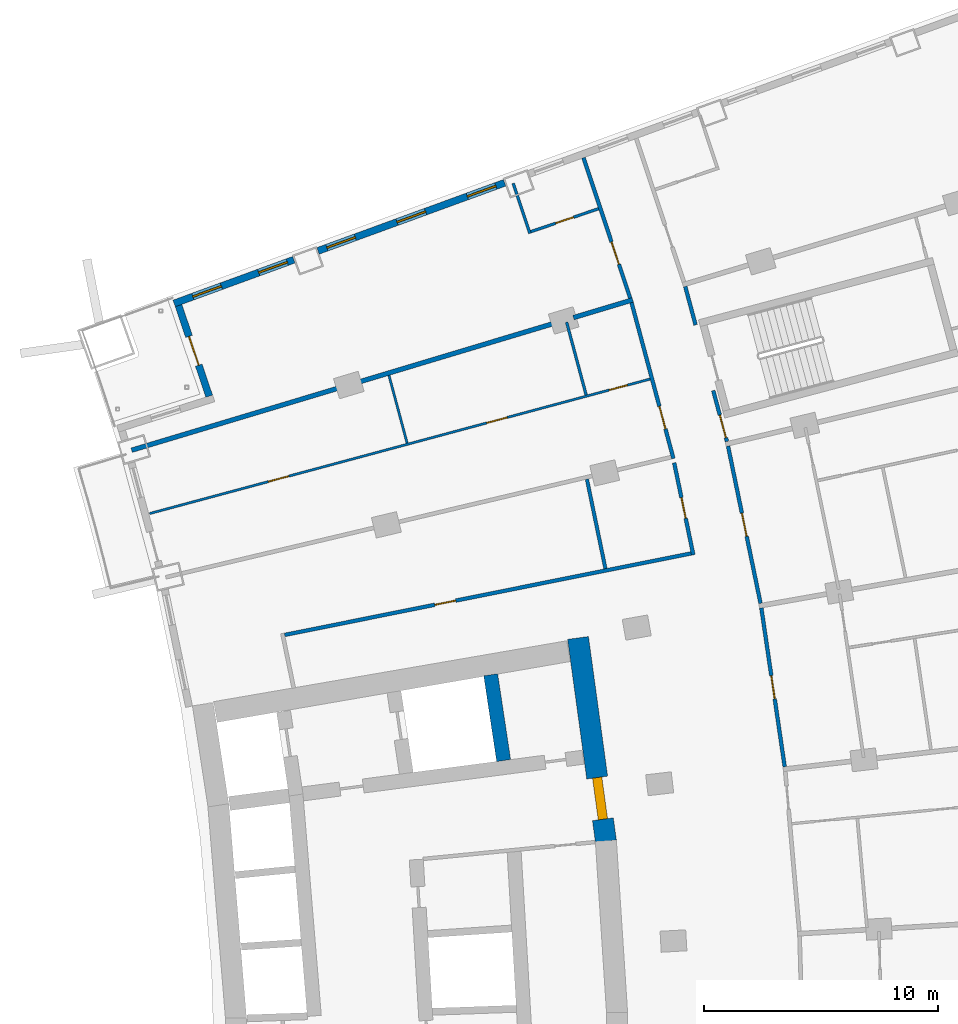
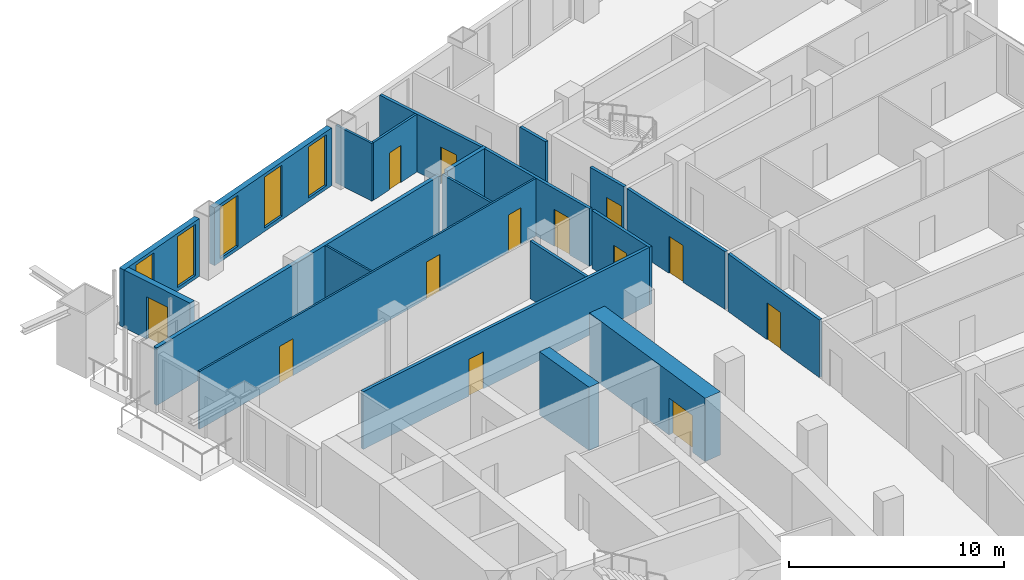
# One storey, part 17 of 23: 21 walls, 13 doors, 5 windows, 18 openings.
"""IFC4 building model written with IfcOpenShell, lengths in metres."""

from ifc_helpers import new_model, si_unit, direction, frame, frame_2d, origin, place, context, subcontext, project, spatial, rectangle, extrude, material, layer, layer_set, type_object, element, fill, save


model = new_model("IFC4")

# Units and contexts
model_context = context("Model", 3, precision=1e-05, world=origin(), true_north=direction((0.0, 1.0)))
body_context = subcontext(model_context, "Body", "Model", "MODEL_VIEW")
ifc_project = project(units=[si_unit("LENGTHUNIT", "METRE"), si_unit("AREAUNIT", "SQUARE_METRE"), si_unit("VOLUMEUNIT", "CUBIC_METRE"), si_unit("PLANEANGLEUNIT", "RADIAN"), si_unit("MASSUNIT", "GRAM", prefix="KILO")], contexts=[model_context])

# Site, building, storey
site_placement = place(None, origin())
site = spatial("IfcSite", under=ifc_project, at=site_placement, CompositionType="ELEMENT")
building_placement = place(site_placement, origin())
building = spatial("IfcBuilding", under=site, at=building_placement, Name="Alderwake Tower", CompositionType="ELEMENT")
storey_placement = place(building_placement, frame((0.0, 0.0, 71.60009765625)))
storey = spatial("IfcBuildingStorey", under=building, at=storey_placement, Name="L17", CompositionType="ELEMENT", Elevation=71.60009765625)

# Wall, opening, door
ifc_material_1 = material(Name="Concrete C70/85", Category="concrete")
ifc_layer_1 = layer(ifc_material_1, 0.89990234375)
ifc_layer_set_1 = layer_set([ifc_layer_1], Name="Core wall outer 900 C70-85")
wall_type_1 = type_object("IfcWallType", Name="Core wall outer 900 C70-85", PredefinedType="SHEAR", material=ifc_layer_set_1)
wall_1_placement = place(storey_placement, frame((31.520263671875, 80.7177734375, 0.0), z_axis=(0.0, 0.0, 1.0), x_axis=(0.135844728876, -0.990730139663, 0.0)))
wall_1 = element("IfcWall", 1, at=wall_1_placement, inside=storey, type_object=wall_type_1, Name="Core wall CW.009", PredefinedType="SHEAR", context=body_context, shape_type="SweptSolid", body=[
    extrude(rectangle(XDim=8.78662109375, YDim=0.89990234375, at=frame_2d((4.393310546875, 0.0))), origin(), (0.0, 0.0, 1.0), 3.599853515625),
])
opening_1_placement = place(wall_1_placement, frame((6.02978515625, 0.0, 0.0)))
opening_1 = element("IfcOpeningElement", 2, at=opening_1_placement, cuts=wall_1, Name="Opening C001", PredefinedType="OPENING", context=body_context, shape_type="SweptSolid", body=[
    extrude(rectangle(XDim=1.800048828125, YDim=2.10009765625, at=frame_2d((0.89990234375, 1.050048828125))), frame((0.0, 0.4599609375, 0.0), z_axis=(0.0, -1.0, 0.0), x_axis=(1.0, 0.0, 0.0)), (0.0, 0.0, 1.0), 0.919921875),
])
ifc_material_2 = material(Name="Steel-framed fire door leaves", Category="steel")
door_type_1 = type_object("IfcDoorType", Name="Core double door 1800 fire-rated", OperationType="DOUBLE_DOOR_SINGLE_SWING", PredefinedType="DOOR", material=ifc_material_2)
door_1_placement = place(opening_1_placement, origin())
door_1 = element("IfcDoor", 3, at=door_1_placement, inside=storey, type_object=door_type_1, Name="Lobby double door", OperationType="DOUBLE_DOOR_SINGLE_SWING", OverallHeight=2.10009765625, OverallWidth=1.800048828125, PredefinedType="DOOR", context=body_context, shape_type="SweptSolid", body=[
    extrude(rectangle(XDim=1.800048828125, YDim=2.10009765625, at=frame_2d((0.89990234375, 1.050048828125))), frame((0.0, 0.199951171875, 0.0), z_axis=(0.0, -1.0, 0.0), x_axis=(1.0, 0.0, 0.0)), (0.0, 0.0, 1.0), 0.39990234375),
])
fill(opening_1, door_1)

# Wall
ifc_material_3 = material(Name="Concrete C70/85", Category="concrete")
ifc_layer_2 = layer(ifc_material_3, 0.60009765625)
ifc_layer_set_2 = layer_set([ifc_layer_2], Name="Core wall spine 600 C70-85")
wall_type_2 = type_object("IfcWallType", Name="Core wall spine 600 C70-85", PredefinedType="SHEAR", material=ifc_layer_set_2)
wall_2_placement = place(storey_placement, frame((28.337646484375, 75.472412109375, 0.0), z_axis=(0.0, 0.0, 1.0), x_axis=(-0.149224787751, 0.988803298296, 0.0)))
element("IfcWall", 4, at=wall_2_placement, inside=storey, type_object=wall_type_2, Name="Core wall CW.001", PredefinedType="SHEAR", context=body_context, shape_type="SweptSolid", body=[
    extrude(rectangle(XDim=3.712158203125, YDim=0.60009765625, at=frame_2d((1.85595703125, 0.0))), origin(), (0.0, 0.0, 1.0), 3.599853515625),
])

# Wall, opening, door
ifc_material_4 = material(Name="Gypsum board on metal studs, rated")
ifc_layer_3 = layer(ifc_material_4, 0.159912109375)
ifc_layer_set_3 = layer_set([ifc_layer_3], Name="Corridor wall 160")
wall_type_3 = type_object("IfcWallType", Name="Corridor wall 160", PredefinedType="PARTITIONING", material=ifc_layer_set_3)
wall_3_placement = place(storey_placement, frame((33.75146484375, 95.2548828125, 0.0), z_axis=(0.0, 0.0, 1.0), x_axis=(-0.315406156735, 0.948956772616, 0.0)))
wall_3 = element("IfcWall", 5, at=wall_3_placement, inside=storey, type_object=wall_type_3, Name="WL/L17/W21", PredefinedType="PARTITIONING", context=body_context, shape_type="SweptSolid", body=[
    extrude(rectangle(XDim=6.330078125, YDim=0.159912109375, at=frame_2d((3.1650390625, 0.0))), origin(), (0.0, 0.0, 1.0), 3.27978515625),
])
opening_2_placement = place(wall_3_placement, frame((1.529052734375, 0.0, 0.0)))
opening_2 = element("IfcOpeningElement", 6, at=opening_2_placement, cuts=wall_3, Name="Opening R04-U15.1", PredefinedType="OPENING", context=body_context, shape_type="SweptSolid", body=[
    extrude(rectangle(XDim=1.0, YDim=2.10009765625, at=frame_2d((0.5, 1.050048828125))), frame((0.0, 0.08984375, 0.0), z_axis=(0.0, -1.0, 0.0), x_axis=(1.0, 0.0, 0.0)), (0.0, 0.0, 1.0), 0.179931640625),
])
ifc_material_5 = material(Name="Solid timber leaf in steel frame", Category="steel")
door_type_2 = type_object("IfcDoorType", Name="Flat entrance door 1000 fire-rated", OperationType="SINGLE_SWING_LEFT", PredefinedType="DOOR", material=ifc_material_5)
door_2_placement = place(opening_2_placement, origin())
door_2 = element("IfcDoor", 7, at=door_2_placement, inside=storey, type_object=door_type_2, Name="DR/L17/U15.1", OperationType="SINGLE_SWING_LEFT", OverallHeight=2.10009765625, OverallWidth=1.0, PredefinedType="DOOR", context=body_context, shape_type="SweptSolid", body=[
    extrude(rectangle(XDim=1.0, YDim=2.10009765625, at=frame_2d((0.5, 1.050048828125))), frame((0.0, 0.02490234375, 0.0), z_axis=(0.0, -1.0, 0.0), x_axis=(1.0, 0.0, 0.0)), (0.0, 0.0, 1.0), 0.050048828125),
])
fill(opening_2, door_2)

wall_4_placement = place(storey_placement, frame((35.600830078125, 88.392578125, 0.0), z_axis=(0.0, 0.0, 1.0), x_axis=(-0.2593979597, 0.965770520622, 0.0)))
wall_4 = element("IfcWall", 8, at=wall_4_placement, inside=storey, type_object=wall_type_3, Name="WL/L17/W23", PredefinedType="PARTITIONING", context=body_context, shape_type="SweptSolid", body=[
    extrude(rectangle(XDim=6.9072265625, YDim=0.159912109375, at=frame_2d((3.45361328125, 0.0))), origin(), (0.0, 0.0, 1.0), 3.27978515625),
])
opening_3_placement = place(wall_4_placement, frame((1.311279296875, 0.0, 0.0)))
opening_3 = element("IfcOpeningElement", 9, at=opening_3_placement, cuts=wall_4, Name="Opening R04-U14.2", PredefinedType="OPENING", context=body_context, shape_type="SweptSolid", body=[
    extrude(rectangle(XDim=1.0, YDim=2.10009765625, at=frame_2d((0.5, 1.050048828125))), frame((0.0, 0.08984375, 0.0), z_axis=(0.0, -1.0, 0.0), x_axis=(1.0, 0.0, 0.0)), (0.0, 0.0, 1.0), 0.179931640625),
])
door_3_placement = place(opening_3_placement, origin())
door_3 = element("IfcDoor", 10, at=door_3_placement, inside=storey, type_object=door_type_2, Name="DR/L17/U14.2", OperationType="SINGLE_SWING_LEFT", OverallHeight=2.10009765625, OverallWidth=1.0, PredefinedType="DOOR", context=body_context, shape_type="SweptSolid", body=[
    extrude(rectangle(XDim=1.0, YDim=2.10009765625, at=frame_2d((0.5, 1.050048828125))), frame((0.0, 0.02490234375, 0.0), z_axis=(0.0, -1.0, 0.0), x_axis=(1.0, 0.0, 0.0)), (0.0, 0.0, 1.0), 0.050048828125),
])
fill(opening_3, door_3)

wall_5_placement = place(storey_placement, frame((36.451416015625, 84.272705078125, 0.0), z_axis=(0.0, 0.0, 1.0), x_axis=(-0.203258199701, 0.979125172924, 0.0)))
wall_5 = element("IfcWall", 11, at=wall_5_placement, inside=storey, type_object=wall_type_3, Name="WL/L17/W27", PredefinedType="PARTITIONING", context=body_context, shape_type="SweptSolid", body=[
    extrude(rectangle(XDim=4.020263671875, YDim=0.159912109375, at=frame_2d((2.01025390625, 0.0))), origin(), (0.0, 0.0, 1.0), 3.27978515625),
])
opening_4_placement = place(wall_5_placement, frame((1.599609375, 0.0, 0.0)))
opening_4 = element("IfcOpeningElement", 12, at=opening_4_placement, cuts=wall_5, Name="Opening R04-SBN2", PredefinedType="OPENING", context=body_context, shape_type="SweptSolid", body=[
    extrude(rectangle(XDim=0.89990234375, YDim=2.10009765625, at=frame_2d((0.449951171875, 1.050048828125))), frame((0.0, 0.08984375, 0.0), z_axis=(0.0, -1.0, 0.0), x_axis=(1.0, 0.0, 0.0)), (0.0, 0.0, 1.0), 0.179931640625),
])
ifc_material_6 = material(Name="Painted timber leaf", Category="wood")
door_type_3 = type_object("IfcDoorType", Name="Room door 900", OperationType="SINGLE_SWING_LEFT", PredefinedType="DOOR", material=ifc_material_6)
door_4_placement = place(opening_4_placement, origin())
door_4 = element("IfcDoor", 13, at=door_4_placement, inside=storey, type_object=door_type_3, Name="DR/L17/SBN2", OperationType="SINGLE_SWING_LEFT", OverallHeight=2.10009765625, OverallWidth=0.89990234375, PredefinedType="DOOR", context=body_context, shape_type="SweptSolid", body=[
    extrude(rectangle(XDim=0.89990234375, YDim=2.10009765625, at=frame_2d((0.449951171875, 1.050048828125))), frame((0.0, 0.02490234375, 0.0), z_axis=(0.0, -1.0, 0.0), x_axis=(1.0, 0.0, 0.0)), (0.0, 0.0, 1.0), 0.050048828125),
])
fill(opening_4, door_4)

wall_6_placement = place(storey_placement, frame((18.969482421875, 80.84765625, 0.0), z_axis=(0.0, 0.0, 1.0), x_axis=(0.980470914622, 0.196664144112, 0.0)))
wall_6 = element("IfcWall", 14, at=wall_6_placement, inside=storey, type_object=wall_type_3, Name="WL/L17/W31", PredefinedType="PARTITIONING", context=body_context, shape_type="SweptSolid", body=[
    extrude(rectangle(XDim=17.733642578125, YDim=0.159912109375, at=frame_2d((8.86669921875, 0.0))), origin(), (0.0, 0.0, 1.0), 3.27978515625),
])
opening_5_placement = place(wall_6_placement, frame((6.556884765625, 0.0, 0.0)))
opening_5 = element("IfcOpeningElement", 15, at=opening_5_placement, cuts=wall_6, Name="Opening R04-SBN1", PredefinedType="OPENING", context=body_context, shape_type="SweptSolid", body=[
    extrude(rectangle(XDim=0.89990234375, YDim=2.10009765625, at=frame_2d((0.449951171875, 1.050048828125))), frame((0.0, 0.08984375, 0.0), z_axis=(0.0, -1.0, 0.0), x_axis=(1.0, 0.0, 0.0)), (0.0, 0.0, 1.0), 0.179931640625),
])
door_5_placement = place(opening_5_placement, origin())
door_5 = element("IfcDoor", 16, at=door_5_placement, inside=storey, type_object=door_type_3, Name="DR/L17/SBN1", OperationType="SINGLE_SWING_LEFT", OverallHeight=2.10009765625, OverallWidth=0.89990234375, PredefinedType="DOOR", context=body_context, shape_type="SweptSolid", body=[
    extrude(rectangle(XDim=0.89990234375, YDim=2.10009765625, at=frame_2d((0.449951171875, 1.050048828125))), frame((0.0, 0.02490234375, 0.0), z_axis=(0.0, -1.0, 0.0), x_axis=(1.0, 0.0, 0.0)), (0.0, 0.0, 1.0), 0.050048828125),
])
fill(opening_5, door_5)

# Wall
wall_7_placement = place(storey_placement, frame((36.549072265625, 94.110107421875, 0.0), z_axis=(0.0, 0.0, 1.0), x_axis=(-0.259813977097, 0.965658685719, 0.0)))
element("IfcWall", 17, at=wall_7_placement, inside=storey, type_object=wall_type_3, Name="WL/L17/W32", PredefinedType="PARTITIONING", context=body_context, shape_type="SweptSolid", body=[
    extrude(rectangle(XDim=1.70166015625, YDim=0.159912109375, at=frame_2d((0.850830078125, 0.0))), origin(), (0.0, 0.0, 1.0), 3.27978515625),
])

# Wall, opening, door
wall_8_placement = place(storey_placement, frame((37.304931640625, 91.299072265625, 0.0), z_axis=(0.0, 0.0, 1.0), x_axis=(0.259946294884, -0.965623075416, 0.0)))
wall_8 = element("IfcWall", 18, at=wall_8_placement, inside=storey, type_object=wall_type_3, Name="WL/L17/W35", PredefinedType="PARTITIONING", context=body_context, shape_type="SweptSolid", body=[
    extrude(rectangle(XDim=2.255126953125, YDim=0.159912109375, at=frame_2d((1.12744140625, 0.0))), origin(), (0.0, 0.0, 1.0), 3.27978515625),
])
opening_6_placement = place(wall_8_placement, frame((1.083984375, 0.0, 0.0)))
opening_6 = element("IfcOpeningElement", 19, at=opening_6_placement, cuts=wall_8, Name="Opening R04-U02.1", PredefinedType="OPENING", context=body_context, shape_type="SweptSolid", body=[
    extrude(rectangle(XDim=1.0, YDim=2.10009765625, at=frame_2d((0.5, 1.050048828125))), frame((0.0, 0.08984375, 0.0), z_axis=(0.0, -1.0, 0.0), x_axis=(1.0, 0.0, 0.0)), (0.0, 0.0, 1.0), 0.179931640625),
])
door_6_placement = place(opening_6_placement, origin())
door_6 = element("IfcDoor", 20, at=door_6_placement, inside=storey, type_object=door_type_2, Name="DR/L17/U02.1", OperationType="SINGLE_SWING_LEFT", OverallHeight=2.10009765625, OverallWidth=1.0, PredefinedType="DOOR", context=body_context, shape_type="SweptSolid", body=[
    extrude(rectangle(XDim=1.0, YDim=2.10009765625, at=frame_2d((0.5, 1.050048828125))), frame((0.0, 0.02490234375, 0.0), z_axis=(0.0, -1.0, 0.0), x_axis=(1.0, 0.0, 0.0)), (0.0, 0.0, 1.0), 0.050048828125),
])
fill(opening_6, door_6)

wall_9_placement = place(storey_placement, frame((37.937255859375, 88.927001953125, 0.0), z_axis=(0.0, 0.0, 1.0), x_axis=(0.20241288737, -0.979300272147, 0.0)))
wall_9 = element("IfcWall", 21, at=wall_9_placement, inside=storey, type_object=wall_type_3, Name="WL/L17/W37", PredefinedType="PARTITIONING", context=body_context, shape_type="SweptSolid", body=[
    extrude(rectangle(XDim=6.870361328125, YDim=0.159912109375, at=frame_2d((3.43505859375, 0.0))), origin(), (0.0, 0.0, 1.0), 3.27978515625),
])
opening_7_placement = place(wall_9_placement, frame((2.93505859375, 0.0, 0.0)))
opening_7 = element("IfcOpeningElement", 22, at=opening_7_placement, cuts=wall_9, Name="Opening R04-U11.2", PredefinedType="OPENING", context=body_context, shape_type="SweptSolid", body=[
    extrude(rectangle(XDim=1.0, YDim=2.10009765625, at=frame_2d((0.5, 1.050048828125))), frame((0.0, 0.08984375, 0.0), z_axis=(0.0, -1.0, 0.0), x_axis=(1.0, 0.0, 0.0)), (0.0, 0.0, 1.0), 0.179931640625),
])
door_7_placement = place(opening_7_placement, origin())
door_7 = element("IfcDoor", 23, at=door_7_placement, inside=storey, type_object=door_type_2, Name="DR/L17/U11.2", OperationType="SINGLE_SWING_LEFT", OverallHeight=2.10009765625, OverallWidth=1.0, PredefinedType="DOOR", context=body_context, shape_type="SweptSolid", body=[
    extrude(rectangle(XDim=1.0, YDim=2.10009765625, at=frame_2d((0.5, 1.050048828125))), frame((0.0, 0.02490234375, 0.0), z_axis=(0.0, -1.0, 0.0), x_axis=(1.0, 0.0, 0.0)), (0.0, 0.0, 1.0), 0.050048828125),
])
fill(opening_7, door_7)

wall_10_placement = place(storey_placement, frame((39.362548828125, 82.001953125, 0.0), z_axis=(0.0, 0.0, 1.0), x_axis=(0.145565626222, -0.98934859805, 0.0)))
wall_10 = element("IfcWall", 24, at=wall_10_placement, inside=storey, type_object=wall_type_3, Name="WL/L17/W39", PredefinedType="PARTITIONING", context=body_context, shape_type="SweptSolid", body=[
    extrude(rectangle(XDim=6.8681640625, YDim=0.159912109375, at=frame_2d((3.43408203125, 0.0))), origin(), (0.0, 0.0, 1.0), 3.27978515625),
])
opening_8_placement = place(wall_10_placement, frame((2.93408203125, 0.0, 0.0)))
opening_8 = element("IfcOpeningElement", 25, at=opening_8_placement, cuts=wall_10, Name="Opening R04-U10.2", PredefinedType="OPENING", context=body_context, shape_type="SweptSolid", body=[
    extrude(rectangle(XDim=1.0, YDim=2.10009765625, at=frame_2d((0.5, 1.050048828125))), frame((0.0, 0.08984375, 0.0), z_axis=(0.0, -1.0, 0.0), x_axis=(1.0, 0.0, 0.0)), (0.0, 0.0, 1.0), 0.179931640625),
])
door_8_placement = place(opening_8_placement, origin())
door_8 = element("IfcDoor", 26, at=door_8_placement, inside=storey, type_object=door_type_2, Name="DR/L17/U10.2", OperationType="SINGLE_SWING_LEFT", OverallHeight=2.10009765625, OverallWidth=1.0, PredefinedType="DOOR", context=body_context, shape_type="SweptSolid", body=[
    extrude(rectangle(XDim=1.0, YDim=2.10009765625, at=frame_2d((0.5, 1.050048828125))), frame((0.0, 0.02490234375, 0.0), z_axis=(0.0, -1.0, 0.0), x_axis=(1.0, 0.0, 0.0)), (0.0, 0.0, 1.0), 0.050048828125),
])
fill(opening_8, door_8)

# Wall, openings, windows
ifc_material_7 = material(Name="Bronze metal cladding on lightweight framing")
ifc_layer_4 = layer(ifc_material_7, 0.300048828125)
ifc_layer_set_4 = layer_set([ifc_layer_4], Name="External wall EW2 bronze metal cladding")
wall_type_4 = type_object("IfcWallType", Name="External wall EW2 bronze metal cladding", PredefinedType="SOLIDWALL", material=ifc_layer_set_4)
wall_11_placement = place(storey_placement, frame((28.37890625, 100.18896484375, 0.0), z_axis=(0.0, 0.0, 1.0), x_axis=(-0.939369809957, -0.342905759856, 0.0)))
wall_11 = element("IfcWall", 27, at=wall_11_placement, inside=storey, type_object=wall_type_4, Name="External wall 28", PredefinedType="SOLIDWALL", context=body_context, shape_type="SweptSolid", body=[
    extrude(rectangle(XDim=8.495361328125, YDim=0.300048828125, at=frame_2d((4.24755859375, 0.0))), origin(), (0.0, 0.0, 1.0), 3.27978515625),
])
opening_9_placement = place(wall_11_placement, frame((0.397705078125, 0.0, 0.199951171875)))
opening_9 = element("IfcOpeningElement", 28, at=opening_9_placement, cuts=wall_11, Name="Opening W1", PredefinedType="OPENING", context=body_context, shape_type="SweptSolid", body=[
    extrude(rectangle(XDim=1.300048828125, YDim=2.89990234375, at=frame_2d((0.64990234375, 1.449951171875))), frame((0.0, 0.159912109375, 0.0), z_axis=(0.0, -1.0, 0.0), x_axis=(1.0, 0.0, 0.0)), (0.0, 0.0, 1.0), 0.320068359375),
])
opening_10_placement = place(wall_11_placement, frame((3.59765625, 0.0, 0.199951171875)))
opening_10 = element("IfcOpeningElement", 29, at=opening_10_placement, cuts=wall_11, Name="Opening W1", PredefinedType="OPENING", context=body_context, shape_type="SweptSolid", body=[
    extrude(rectangle(XDim=1.300048828125, YDim=2.89990234375, at=frame_2d((0.64990234375, 1.449951171875))), frame((0.0, 0.159912109375, 0.0), z_axis=(0.0, -1.0, 0.0), x_axis=(1.0, 0.0, 0.0)), (0.0, 0.0, 1.0), 0.320068359375),
])
opening_11_placement = place(wall_11_placement, frame((6.7978515625, 0.0, 0.199951171875)))
opening_11 = element("IfcOpeningElement", 30, at=opening_11_placement, cuts=wall_11, Name="Opening W1", PredefinedType="OPENING", context=body_context, shape_type="SweptSolid", body=[
    extrude(rectangle(XDim=1.300048828125, YDim=2.89990234375, at=frame_2d((0.64990234375, 1.449951171875))), frame((0.0, 0.159912109375, 0.0), z_axis=(0.0, -1.0, 0.0), x_axis=(1.0, 0.0, 0.0)), (0.0, 0.0, 1.0), 0.320068359375),
])
ifc_material_8 = material(Name="Bronze tinted glass in aluminium frame", Category="aluminium")
window_type = type_object("IfcWindowType", Name="Window W1 tall fixed and vent", PartitioningType="DOUBLE_PANEL_VERTICAL", PredefinedType="WINDOW", material=ifc_material_8)
window_1_placement = place(opening_9_placement, origin())
window_1 = element("IfcWindow", 31, at=window_1_placement, inside=storey, type_object=window_type, Name="Window W1 tall fixed and vent", OverallHeight=2.89990234375, OverallWidth=1.300048828125, PartitioningType="DOUBLE_PANEL_VERTICAL", PredefinedType="WINDOW", context=body_context, shape_type="SweptSolid", body=[
    extrude(rectangle(XDim=1.300048828125, YDim=2.89990234375, at=frame_2d((0.64990234375, 1.449951171875))), frame((0.0, 0.030029296875, 0.0), z_axis=(0.0, -1.0, 0.0), x_axis=(1.0, 0.0, 0.0)), (0.0, 0.0, 1.0), 0.06005859375),
])
fill(opening_9, window_1)
window_2_placement = place(opening_10_placement, origin())
window_2 = element("IfcWindow", 32, at=window_2_placement, inside=storey, type_object=window_type, Name="Window W1 tall fixed and vent", OverallHeight=2.89990234375, OverallWidth=1.300048828125, PartitioningType="DOUBLE_PANEL_VERTICAL", PredefinedType="WINDOW", context=body_context, shape_type="SweptSolid", body=[
    extrude(rectangle(XDim=1.300048828125, YDim=2.89990234375, at=frame_2d((0.64990234375, 1.449951171875))), frame((0.0, 0.030029296875, 0.0), z_axis=(0.0, -1.0, 0.0), x_axis=(1.0, 0.0, 0.0)), (0.0, 0.0, 1.0), 0.06005859375),
])
fill(opening_10, window_2)
window_3_placement = place(opening_11_placement, origin())
window_3 = element("IfcWindow", 33, at=window_3_placement, inside=storey, type_object=window_type, Name="Window W1 tall fixed and vent", OverallHeight=2.89990234375, OverallWidth=1.300048828125, PartitioningType="DOUBLE_PANEL_VERTICAL", PredefinedType="WINDOW", context=body_context, shape_type="SweptSolid", body=[
    extrude(rectangle(XDim=1.300048828125, YDim=2.89990234375, at=frame_2d((0.64990234375, 1.449951171875))), frame((0.0, 0.030029296875, 0.0), z_axis=(0.0, -1.0, 0.0), x_axis=(1.0, 0.0, 0.0)), (0.0, 0.0, 1.0), 0.06005859375),
])
fill(opening_11, window_3)

wall_12_placement = place(storey_placement, frame((19.360595703125, 96.89697265625, 0.0), z_axis=(0.0, 0.0, 1.0), x_axis=(-0.939360985368, -0.342929933321, 0.0)))
wall_12 = element("IfcWall", 34, at=wall_12_placement, inside=storey, type_object=wall_type_4, Name="External wall 29", PredefinedType="SOLIDWALL", context=body_context, shape_type="SweptSolid", body=[
    extrude(rectangle(XDim=5.448974609375, YDim=0.300048828125, at=frame_2d((2.724609375, 0.0))), origin(), (0.0, 0.0, 1.0), 3.27978515625),
])
opening_12_placement = place(wall_12_placement, frame((0.2978515625, 0.0, 0.199951171875)))
opening_12 = element("IfcOpeningElement", 35, at=opening_12_placement, cuts=wall_12, Name="Opening W1", PredefinedType="OPENING", context=body_context, shape_type="SweptSolid", body=[
    extrude(rectangle(XDim=1.300048828125, YDim=2.89990234375, at=frame_2d((0.64990234375, 1.449951171875))), frame((0.0, 0.159912109375, 0.0), z_axis=(0.0, -1.0, 0.0), x_axis=(1.0, 0.0, 0.0)), (0.0, 0.0, 1.0), 0.320068359375),
])
opening_13_placement = place(wall_12_placement, frame((3.298583984375, 0.0, 0.199951171875)))
opening_13 = element("IfcOpeningElement", 36, at=opening_13_placement, cuts=wall_12, Name="Opening W1", PredefinedType="OPENING", context=body_context, shape_type="SweptSolid", body=[
    extrude(rectangle(XDim=1.300048828125, YDim=2.89990234375, at=frame_2d((0.64990234375, 1.449951171875))), frame((0.0, 0.159912109375, 0.0), z_axis=(0.0, -1.0, 0.0), x_axis=(1.0, 0.0, 0.0)), (0.0, 0.0, 1.0), 0.320068359375),
])
window_4_placement = place(opening_12_placement, origin())
window_4 = element("IfcWindow", 37, at=window_4_placement, inside=storey, type_object=window_type, Name="Window W1 tall fixed and vent", OverallHeight=2.89990234375, OverallWidth=1.300048828125, PartitioningType="DOUBLE_PANEL_VERTICAL", PredefinedType="WINDOW", context=body_context, shape_type="SweptSolid", body=[
    extrude(rectangle(XDim=1.300048828125, YDim=2.89990234375, at=frame_2d((0.64990234375, 1.449951171875))), frame((0.0, 0.030029296875, 0.0), z_axis=(0.0, -1.0, 0.0), x_axis=(1.0, 0.0, 0.0)), (0.0, 0.0, 1.0), 0.06005859375),
])
fill(opening_12, window_4)
window_5_placement = place(opening_13_placement, origin())
window_5 = element("IfcWindow", 38, at=window_5_placement, inside=storey, type_object=window_type, Name="Window W1 tall fixed and vent", OverallHeight=2.89990234375, OverallWidth=1.300048828125, PartitioningType="DOUBLE_PANEL_VERTICAL", PredefinedType="WINDOW", context=body_context, shape_type="SweptSolid", body=[
    extrude(rectangle(XDim=1.300048828125, YDim=2.89990234375, at=frame_2d((0.64990234375, 1.449951171875))), frame((0.0, 0.030029296875, 0.0), z_axis=(0.0, -1.0, 0.0), x_axis=(1.0, 0.0, 0.0)), (0.0, 0.0, 1.0), 0.06005859375),
])
fill(opening_13, window_5)

# Wall, opening, door
wall_13_placement = place(storey_placement, frame((14.430908203125, 94.937744140625, 0.0), z_axis=(0.0, 0.0, 1.0), x_axis=(0.320379458656, -0.947289291859, 0.0)))
wall_13 = element("IfcWall", 39, at=wall_13_placement, inside=storey, type_object=wall_type_4, Name="External wall 30", PredefinedType="SOLIDWALL", context=body_context, shape_type="SweptSolid", body=[
    extrude(rectangle(XDim=4.08984375, YDim=0.300048828125, at=frame_2d((2.044921875, 0.0))), origin(), (0.0, 0.0, 1.0), 3.27978515625),
])
opening_14_placement = place(wall_13_placement, frame((1.39501953125, 0.0, 0.0)))
opening_14 = element("IfcOpeningElement", 40, at=opening_14_placement, cuts=wall_13, Name="Opening D14", PredefinedType="OPENING", context=body_context, shape_type="SweptSolid", body=[
    extrude(rectangle(XDim=1.300048828125, YDim=2.39990234375, at=frame_2d((0.64990234375, 1.199951171875))), frame((0.0, 0.159912109375, 0.0), z_axis=(0.0, -1.0, 0.0), x_axis=(1.0, 0.0, 0.0)), (0.0, 0.0, 1.0), 0.320068359375),
])
ifc_material_9 = material(Name="Bronze tinted glass in aluminium frame", Category="aluminium")
door_type_4 = type_object("IfcDoorType", Name="Balcony door BD sliding", OperationType="SLIDING_TO_LEFT", PredefinedType="DOOR", material=ifc_material_9)
door_9_placement = place(opening_14_placement, origin())
door_9 = element("IfcDoor", 41, at=door_9_placement, inside=storey, type_object=door_type_4, Name="Door D14", OperationType="SLIDING_TO_LEFT", OverallHeight=2.39990234375, OverallWidth=1.300048828125, PredefinedType="DOOR", context=body_context, shape_type="SweptSolid", body=[
    extrude(rectangle(XDim=1.300048828125, YDim=2.39990234375, at=frame_2d((0.64990234375, 1.199951171875))), frame((0.0, 0.02490234375, 0.0), z_axis=(0.0, -1.0, 0.0), x_axis=(1.0, 0.0, 0.0)), (0.0, 0.0, 1.0), 0.050048828125),
])
fill(opening_14, door_9)

# Walls
ifc_material_10 = material(Name="Dense block masonry wall", Category="masonry")
ifc_layer_5 = layer(ifc_material_10, 0.199951171875)
ifc_layer_set_5 = layer_set([ifc_layer_5], Name="Party wall 200")
wall_type_5 = type_object("IfcWallType", Name="Party wall 200", PredefinedType="SOLIDWALL", material=ifc_layer_set_5)
wall_14_placement = place(storey_placement, frame((30.812744140625, 94.270751953125, 0.0), z_axis=(0.0, 0.0, 1.0), x_axis=(-0.957756965565, -0.287578849904, 0.0)))
element("IfcWall", 42, at=wall_14_placement, inside=storey, type_object=wall_type_5, Name="WL/L17/W01", PredefinedType="SOLIDWALL", context=body_context, shape_type="SweptSolid", body=[
    extrude(rectangle(XDim=19.20068359375, YDim=0.199951171875, at=frame_2d((9.600341796875, 0.0))), origin(), (0.0, 0.0, 1.0), 3.27978515625),
])
wall_15_placement = place(storey_placement, frame((33.859619140625, 95.18310546875, 0.0), z_axis=(0.0, 0.0, 1.0), x_axis=(-0.957762803886, -0.287559405153, 0.0)))
element("IfcWall", 43, at=wall_15_placement, inside=storey, type_object=wall_type_5, Name="WL/L17/W04", PredefinedType="SOLIDWALL", context=body_context, shape_type="SweptSolid", body=[
    extrude(rectangle(XDim=2.647216796875, YDim=0.199951171875, at=frame_2d((1.32373046875, 0.0))), origin(), (0.0, 0.0, 1.0), 3.27978515625),
])
ifc_material_11 = material(Name="Gypsum shaft wall system, rated")
ifc_layer_6 = layer(ifc_material_11, 0.14990234375)
ifc_layer_set_6 = layer_set([ifc_layer_6], Name="Riser and shaft wall 150")
wall_type_6 = type_object("IfcWallType", Name="Riser and shaft wall 150", PredefinedType="PARTITIONING", material=ifc_layer_set_6)
wall_16_placement = place(storey_placement, frame((32.69287109375, 83.682373046875, 0.0), z_axis=(0.0, 0.0, 1.0), x_axis=(-0.20266545775, 0.979248034073, 0.0)))
element("IfcWall", 44, at=wall_16_placement, inside=storey, type_object=wall_type_6, Name="WL/L17/W16", PredefinedType="PARTITIONING", context=body_context, shape_type="SweptSolid", body=[
    extrude(rectangle(XDim=3.911376953125, YDim=0.14990234375, at=frame_2d((1.95556640625, 0.0))), origin(), (0.0, 0.0, 1.0), 3.27978515625),
])

# Wall, openings, doors
ifc_material_12 = material(Name="Gypsum board on metal studs")
ifc_layer_7 = layer(ifc_material_12, 0.10009765625)
ifc_layer_set_7 = layer_set([ifc_layer_7], Name="Unit partition 100")
wall_type_7 = type_object("IfcWallType", Name="Unit partition 100", PredefinedType="PARTITIONING", material=ifc_layer_set_7)
wall_17_placement = place(storey_placement, frame((13.194091796875, 86.0400390625, 0.0), z_axis=(0.0, 0.0, 1.0), x_axis=(0.965734733826, 0.259531161679, 0.0)))
wall_17 = element("IfcWall", 45, at=wall_17_placement, inside=storey, type_object=wall_type_7, Name="WL/L17/W68", PredefinedType="PARTITIONING", context=body_context, shape_type="SweptSolid", body=[
    extrude(rectangle(XDim=22.17138671875, YDim=0.10009765625, at=frame_2d((11.085693359375, 0.0))), origin(), (0.0, 0.0, 1.0), 3.27978515625),
])
opening_15_placement = place(wall_17_placement, frame((14.935791015625, 0.0, 0.0)))
opening_15 = element("IfcOpeningElement", 46, at=opening_15_placement, cuts=wall_17, Name="Opening R04-U14.1", PredefinedType="OPENING", context=body_context, shape_type="SweptSolid", body=[
    extrude(rectangle(XDim=0.89990234375, YDim=2.10009765625, at=frame_2d((0.449951171875, 1.050048828125))), frame((0.0, 0.06005859375, 0.0), z_axis=(0.0, -1.0, 0.0), x_axis=(1.0, 0.0, 0.0)), (0.0, 0.0, 1.0), 0.1201171875),
])
opening_16_placement = place(wall_17_placement, frame((20.361328125, 0.0, 0.0)))
opening_16 = element("IfcOpeningElement", 47, at=opening_16_placement, cuts=wall_17, Name="Opening R04-U14.3", PredefinedType="OPENING", context=body_context, shape_type="SweptSolid", body=[
    extrude(rectangle(XDim=0.800048828125, YDim=2.10009765625, at=frame_2d((0.39990234375, 1.050048828125))), frame((0.0, 0.06005859375, 0.0), z_axis=(0.0, -1.0, 0.0), x_axis=(1.0, 0.0, 0.0)), (0.0, 0.0, 1.0), 0.1201171875),
])
opening_17_placement = place(wall_17_placement, frame((5.260498046875, 0.0, 0.0)))
opening_17 = element("IfcOpeningElement", 48, at=opening_17_placement, cuts=wall_17, Name="Opening R04-U14.4", PredefinedType="OPENING", context=body_context, shape_type="SweptSolid", body=[
    extrude(rectangle(XDim=0.89990234375, YDim=2.10009765625, at=frame_2d((0.449951171875, 1.050048828125))), frame((0.0, 0.06005859375, 0.0), z_axis=(0.0, -1.0, 0.0), x_axis=(1.0, 0.0, 0.0)), (0.0, 0.0, 1.0), 0.1201171875),
])
ifc_material_13 = material(Name="Painted timber leaf", Category="wood")
door_type_5 = type_object("IfcDoorType", Name="Bathroom door 800", OperationType="SINGLE_SWING_LEFT", PredefinedType="DOOR", material=ifc_material_13)
door_10_placement = place(opening_16_placement, origin())
door_10 = element("IfcDoor", 49, at=door_10_placement, inside=storey, type_object=door_type_5, Name="DR/L17/U14.3", OperationType="SINGLE_SWING_LEFT", OverallHeight=2.10009765625, OverallWidth=0.800048828125, PredefinedType="DOOR", context=body_context, shape_type="SweptSolid", body=[
    extrude(rectangle(XDim=0.800048828125, YDim=2.10009765625, at=frame_2d((0.39990234375, 1.050048828125))), frame((0.0, 0.02490234375, 0.0), z_axis=(0.0, -1.0, 0.0), x_axis=(1.0, 0.0, 0.0)), (0.0, 0.0, 1.0), 0.050048828125),
])
fill(opening_16, door_10)
door_11_placement = place(opening_15_placement, origin())
door_11 = element("IfcDoor", 50, at=door_11_placement, inside=storey, type_object=door_type_3, Name="DR/L17/U14.1", OperationType="SINGLE_SWING_LEFT", OverallHeight=2.10009765625, OverallWidth=0.89990234375, PredefinedType="DOOR", context=body_context, shape_type="SweptSolid", body=[
    extrude(rectangle(XDim=0.89990234375, YDim=2.10009765625, at=frame_2d((0.449951171875, 1.050048828125))), frame((0.0, 0.02490234375, 0.0), z_axis=(0.0, -1.0, 0.0), x_axis=(1.0, 0.0, 0.0)), (0.0, 0.0, 1.0), 0.050048828125),
])
fill(opening_15, door_11)
door_12_placement = place(opening_17_placement, origin())
door_12 = element("IfcDoor", 51, at=door_12_placement, inside=storey, type_object=door_type_3, Name="DR/L17/U14.4", OperationType="SINGLE_SWING_LEFT", OverallHeight=2.10009765625, OverallWidth=0.89990234375, PredefinedType="DOOR", context=body_context, shape_type="SweptSolid", body=[
    extrude(rectangle(XDim=0.89990234375, YDim=2.10009765625, at=frame_2d((0.449951171875, 1.050048828125))), frame((0.0, 0.02490234375, 0.0), z_axis=(0.0, -1.0, 0.0), x_axis=(1.0, 0.0, 0.0)), (0.0, 0.0, 1.0), 0.050048828125),
])
fill(opening_17, door_12)

# Walls
wall_18_placement = place(storey_placement, frame((23.431884765625, 91.949462890625, 0.0), z_axis=(0.0, 0.0, 1.0), x_axis=(0.259065603162, -0.965859727527, 0.0)))
element("IfcWall", 52, at=wall_18_placement, inside=storey, type_object=wall_type_7, Name="WL/L17/W69", PredefinedType="PARTITIONING", context=body_context, shape_type="SweptSolid", body=[
    extrude(rectangle(XDim=2.99951171875, YDim=0.10009765625, at=frame_2d((1.499755859375, 0.0))), origin(), (0.0, 0.0, 1.0), 3.27978515625),
])
ifc_material_14 = material(Name="Moisture resistant gypsum board on metal studs")
ifc_layer_8 = layer(ifc_material_14, 0.1201171875)
ifc_layer_set_8 = layer_set([ifc_layer_8], Name="Wet room partition 120")
wall_type_8 = type_object("IfcWallType", Name="Wet room partition 120", PredefinedType="PARTITIONING", material=ifc_layer_set_8)
wall_19_placement = place(storey_placement, frame((28.7490234375, 100.1640625, 0.0), z_axis=(0.0, 0.0, 1.0), x_axis=(0.315416394236, -0.948953369901, 0.0)))
element("IfcWall", 53, at=wall_19_placement, inside=storey, type_object=wall_type_8, Name="WL/L17/W44", PredefinedType="PARTITIONING", context=body_context, shape_type="SweptSolid", body=[
    extrude(rectangle(XDim=2.257080078125, YDim=0.1201171875, at=frame_2d((1.12841796875, 0.0))), origin(), (0.0, 0.0, 1.0), 3.27978515625),
])

# Wall, opening, door
wall_20_placement = place(storey_placement, frame((29.498779296875, 98.09814453125, 0.0), z_axis=(0.0, 0.0, 1.0), x_axis=(0.947164130145, 0.320749295505, 0.0)))
wall_20 = element("IfcWall", 54, at=wall_20_placement, inside=storey, type_object=wall_type_8, Name="WL/L17/W46", PredefinedType="PARTITIONING", context=body_context, shape_type="SweptSolid", body=[
    extrude(rectangle(XDim=3.05908203125, YDim=0.1201171875, at=frame_2d((1.529541015625, 0.0))), origin(), (0.0, 0.0, 1.0), 3.27978515625),
])
opening_18_placement = place(wall_20_placement, frame((1.12939453125, 0.0, 0.0)))
opening_18 = element("IfcOpeningElement", 55, at=opening_18_placement, cuts=wall_20, Name="Opening R04-U15.2", PredefinedType="OPENING", context=body_context, shape_type="SweptSolid", body=[
    extrude(rectangle(XDim=0.800048828125, YDim=2.10009765625, at=frame_2d((0.39990234375, 1.050048828125))), frame((0.0, 0.070068359375, 0.0), z_axis=(0.0, -1.0, 0.0), x_axis=(1.0, 0.0, 0.0)), (0.0, 0.0, 1.0), 0.14013671875),
])
door_13_placement = place(opening_18_placement, origin())
door_13 = element("IfcDoor", 56, at=door_13_placement, inside=storey, type_object=door_type_5, Name="DR/L17/U15.2", OperationType="SINGLE_SWING_LEFT", OverallHeight=2.10009765625, OverallWidth=0.800048828125, PredefinedType="DOOR", context=body_context, shape_type="SweptSolid", body=[
    extrude(rectangle(XDim=0.800048828125, YDim=2.10009765625, at=frame_2d((0.39990234375, 1.050048828125))), frame((0.0, 0.02490234375, 0.0), z_axis=(0.0, -1.0, 0.0), x_axis=(1.0, 0.0, 0.0)), (0.0, 0.0, 1.0), 0.050048828125),
])
fill(opening_18, door_13)

# Wall
wall_21_placement = place(storey_placement, frame((31.031005859375, 94.2294921875, 0.0), z_axis=(0.0, 0.0, 1.0), x_axis=(0.259149206489, -0.96583729933, 0.0)))
element("IfcWall", 57, at=wall_21_placement, inside=storey, type_object=wall_type_8, Name="WL/L17/W48", PredefinedType="PARTITIONING", context=body_context, shape_type="SweptSolid", body=[
    extrude(rectangle(XDim=3.2294921875, YDim=0.1201171875, at=frame_2d((1.61474609375, 0.0))), origin(), (0.0, 0.0, 1.0), 3.27978515625),
])

save(model, "model.ifc")
